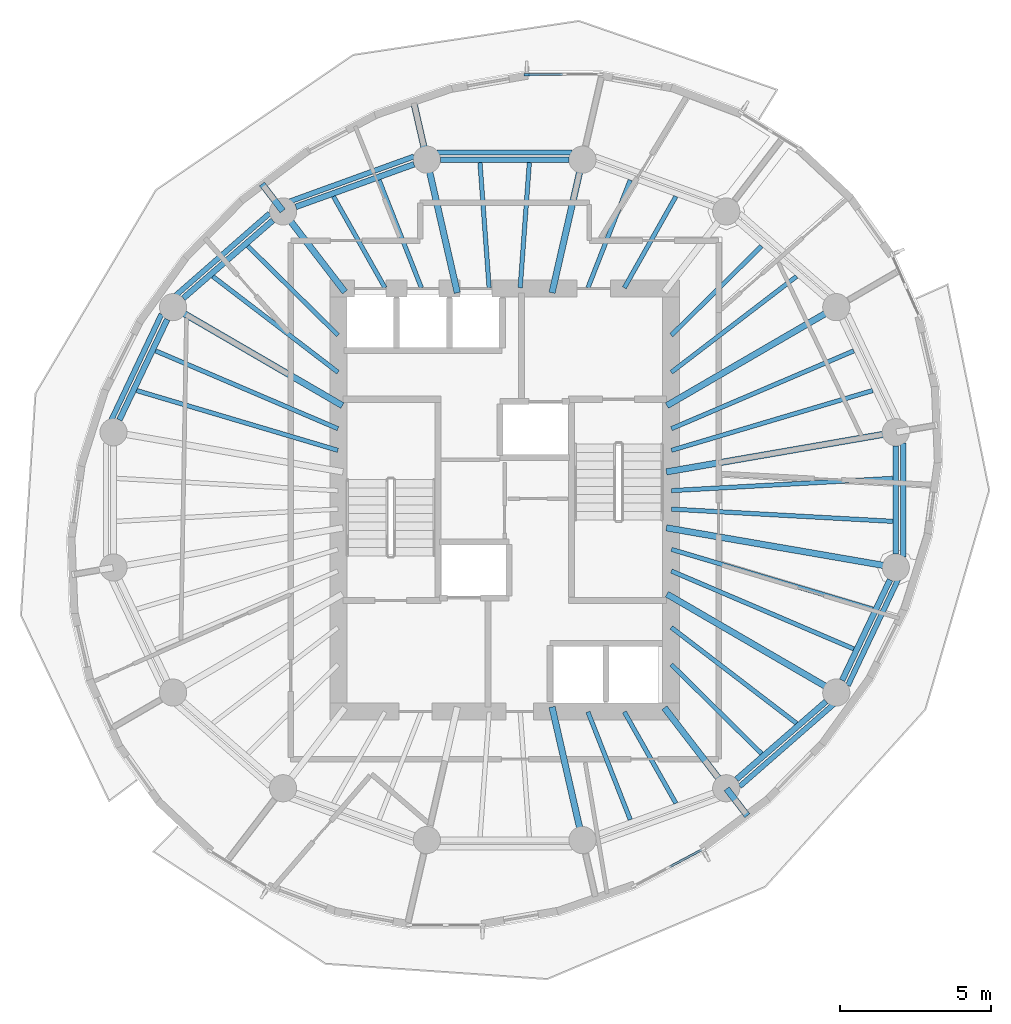
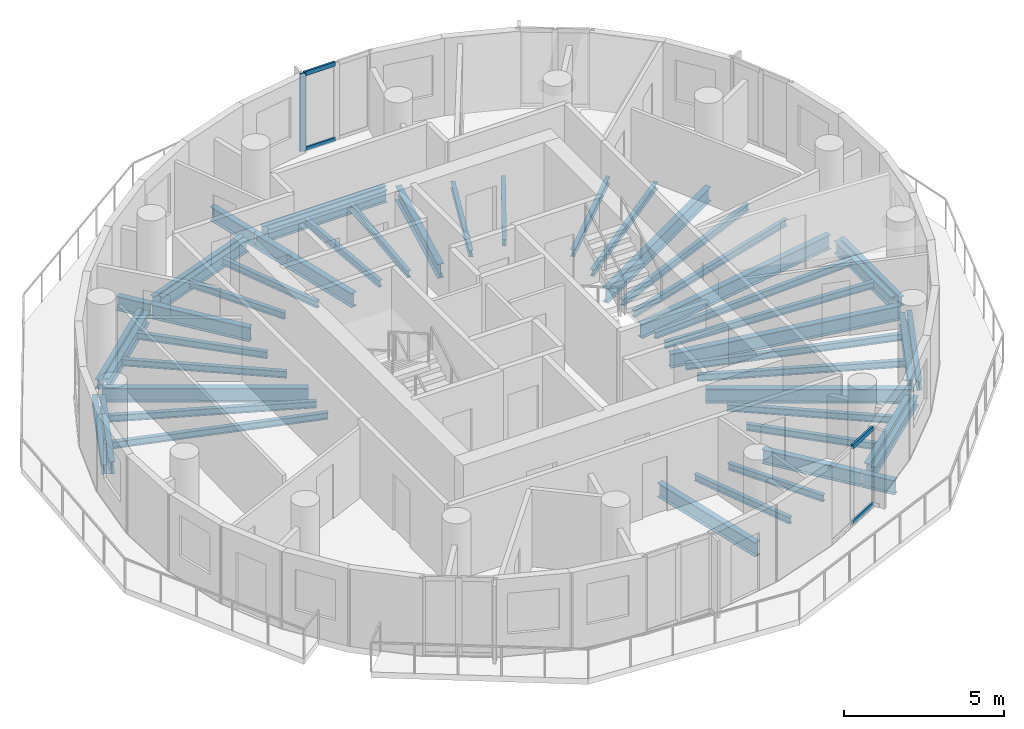
# One storey, part 2 of 10: 49 beams, 5 members, 2 elements without a shape of their own.
"""IFC4 building model written with IfcOpenShell, lengths in metres."""

from ifc_helpers import new_model, si_unit, direction, frame, origin, origin_2d, place, context, subcontext, project, spatial, rectangle, i_section, extrude, material, material_profile, profile_set, type_object, element, aggregate, save


model = new_model("IFC4")

# Units and contexts
model_context = context("Model", 3, precision=1e-05, world=origin(), true_north=direction((0.0, 1.0)))
body_context = subcontext(model_context, "Body", "Model", "MODEL_VIEW")
ifc_project = project(units=[si_unit("LENGTHUNIT", "METRE"), si_unit("AREAUNIT", "SQUARE_METRE"), si_unit("VOLUMEUNIT", "CUBIC_METRE"), si_unit("PLANEANGLEUNIT", "RADIAN"), si_unit("MASSUNIT", "GRAM", prefix="KILO")], contexts=[model_context])

# Site, building, storey
site_placement = place(None, origin())
site = spatial("IfcSite", under=ifc_project, at=site_placement, CompositionType="ELEMENT")
building_placement = place(site_placement, origin())
building = spatial("IfcBuilding", under=site, at=building_placement, Name="Veldorim Arch Residences", CompositionType="ELEMENT")
storey_placement = place(building_placement, frame((0.0, 0.0, 169.43994140625)))
storey = spatial("IfcBuildingStorey", under=building, at=storey_placement, Name="L50", CompositionType="ELEMENT", Elevation=169.43994140625)

# Beams
ifc_material_1 = material(Name="Steel S355", Category="steel")
ifc_material_profile_1 = material_profile(ifc_material_1, i_section(OverallWidth=0.2119140625, OverallDepth=0.54443359375, WebThickness=0.0126953125, FlangeThickness=0.021240234375, at=origin_2d()), Name="UB533x210x122")
ifc_profile_set_1 = profile_set([ifc_material_profile_1], Name="Steel S355")
beam_type_1 = type_object("IfcBeamType", Name="Structural Steel Beam UB533x210x122", PredefinedType="BEAM", material=ifc_profile_set_1)
beam_1_placement = place(storey_placement, frame((37.352294921875, 24.92578125, -0.51220703125), z_axis=(0.985364974081, 0.170457818401, 0.0), x_axis=(-0.170457818401, 0.985364974081, 0.0)))
element("IfcBeam", 1, at=beam_1_placement, inside=storey, type_object=beam_type_1, Name="L50 radial floor girder 01", PredefinedType="BEAM", context=body_context, shape_type="SweptSolid", body=[
    extrude(i_section(OverallWidth=0.2119140625, OverallDepth=0.54443359375, WebThickness=0.0126953125, FlangeThickness=0.021240234375, at=origin_2d()), origin(), (0.0, 0.0, 1.0), 7.68701171875),
])
beam_2_placement = place(storey_placement, frame((37.370361328125, 27.12060546875, -0.51220703125), z_axis=(0.864595736304, 0.502468121142, 0.0), x_axis=(-0.502468121142, 0.864595736304, 0.0)))
element("IfcBeam", 2, at=beam_2_placement, inside=storey, type_object=beam_type_1, Name="L50 radial floor girder 02", PredefinedType="BEAM", context=body_context, shape_type="SweptSolid", body=[
    extrude(i_section(OverallWidth=0.2119140625, OverallDepth=0.54443359375, WebThickness=0.0126953125, FlangeThickness=0.021240234375, at=origin_2d()), origin(), (0.0, 0.0, 1.0), 6.462646484375),
])
for number, where, z_axis, x_axis, name in (
    (3, (33.567626953125, 30.853759765625, -0.51220703125), (0.222952976993, 0.97482920045, 0.0), (-0.97482920045, 0.222952976993, 0.0), "L50 radial floor girder 04"),
    (4, (30.432373046875, 30.853759765625, -0.51220703125), (-0.222952976993, 0.97482920045, 0.0), (-0.97482920045, -0.222952976993, 0.0), "L50 radial floor girder 05"),
):
    element("IfcBeam", number, at=place(storey_placement, frame(where, z_axis=z_axis, x_axis=x_axis)), inside=storey, type_object=beam_type_1, Name=name, PredefinedType="BEAM", context=body_context, shape_type="SweptSolid", body=[
        extrude(i_section(OverallWidth=0.2119140625, OverallDepth=0.54443359375, WebThickness=0.0126953125, FlangeThickness=0.021240234375, at=origin_2d()), origin(), (0.0, 0.0, 1.0), 4.49951171875),
    ])
beam_3_placement = place(storey_placement, frame((29.42041015625, 35.27880859375, -0.51220703125), z_axis=(-0.223002397565, 0.974817896163, 0.0), x_axis=(-0.974817896163, -0.223002397565, 0.0)))
element("IfcBeam", 5, at=beam_3_placement, inside=storey, type_object=beam_type_1, Name="L50 radial edge cantilever girder 05", PredefinedType="BEAM", context=body_context, shape_type="SweptSolid", body=[
    extrude(i_section(OverallWidth=0.2119140625, OverallDepth=0.54443359375, WebThickness=0.0126953125, FlangeThickness=0.021240234375, at=origin_2d()), origin(), (0.0, 0.0, 1.0), 1.978271484375),
])
beam_4_placement = place(storey_placement, frame((26.71337890625, 30.881103515625, -0.51220703125), z_axis=(-0.609258442308, 0.792971721108, 0.0), x_axis=(-0.792971721108, -0.609258442308, 0.0)))
element("IfcBeam", 6, at=beam_4_placement, inside=storey, type_object=beam_type_1, Name="L50 radial floor girder 06", PredefinedType="BEAM", context=body_context, shape_type="SweptSolid", body=[
    extrude(i_section(OverallWidth=0.2119140625, OverallDepth=0.54443359375, WebThickness=0.0126953125, FlangeThickness=0.021240234375, at=origin_2d()), origin(), (0.0, 0.0, 1.0), 3.339599609375),
])
beam_5_placement = place(storey_placement, frame((24.654296875, 33.561279296875, -0.51220703125), z_axis=(-0.609364739023, 0.792890039561, 0.0), x_axis=(-0.792890039561, -0.609364739023, 0.0)))
element("IfcBeam", 7, at=beam_5_placement, inside=storey, type_object=beam_type_1, Name="L50 radial edge cantilever girder 06", PredefinedType="BEAM", context=body_context, shape_type="SweptSolid", body=[
    extrude(i_section(OverallWidth=0.2119140625, OverallDepth=0.54443359375, WebThickness=0.0126953125, FlangeThickness=0.021240234375, at=origin_2d()), origin(), (0.0, 0.0, 1.0), 1.12548828125),
])
beam_6_placement = place(storey_placement, frame((26.629638671875, 27.12060546875, -0.51220703125), z_axis=(-0.864595736304, 0.502468121142, 0.0), x_axis=(-0.502468121142, -0.864595736304, 0.0)))
element("IfcBeam", 8, at=beam_6_placement, inside=storey, type_object=beam_type_1, Name="L50 radial floor girder 07", PredefinedType="BEAM", context=body_context, shape_type="SweptSolid", body=[
    extrude(i_section(OverallWidth=0.2119140625, OverallDepth=0.54443359375, WebThickness=0.0126953125, FlangeThickness=0.021240234375, at=origin_2d()), origin(), (0.0, 0.0, 1.0), 6.462646484375),
])
beam_7_placement = place(storey_placement, frame((33.567626953125, 17.146240234375, -0.51220703125), z_axis=(0.222952976993, -0.97482920045, 0.0), x_axis=(0.97482920045, 0.222952976993, 0.0)))
element("IfcBeam", 9, at=beam_7_placement, inside=storey, type_object=beam_type_1, Name="L50 radial floor girder 13", PredefinedType="BEAM", context=body_context, shape_type="SweptSolid", body=[
    extrude(i_section(OverallWidth=0.2119140625, OverallDepth=0.54443359375, WebThickness=0.0126953125, FlangeThickness=0.021240234375, at=origin_2d()), origin(), (0.0, 0.0, 1.0), 4.49951171875),
])
beam_8_placement = place(storey_placement, frame((37.28662109375, 17.118896484375, -0.51220703125), z_axis=(0.609258442308, -0.792971721108, 0.0), x_axis=(0.792971721108, 0.609258442308, 0.0)))
element("IfcBeam", 10, at=beam_8_placement, inside=storey, type_object=beam_type_1, Name="L50 radial floor girder 14", PredefinedType="BEAM", context=body_context, shape_type="SweptSolid", body=[
    extrude(i_section(OverallWidth=0.2119140625, OverallDepth=0.54443359375, WebThickness=0.0126953125, FlangeThickness=0.021240234375, at=origin_2d()), origin(), (0.0, 0.0, 1.0), 3.339599609375),
])
beam_9_placement = place(storey_placement, frame((39.345703125, 14.438720703125, -0.51220703125), z_axis=(0.609364739023, -0.792890039561, 0.0), x_axis=(0.792890039561, 0.609364739023, 0.0)))
element("IfcBeam", 11, at=beam_9_placement, inside=storey, type_object=beam_type_1, Name="L50 radial edge cantilever girder 14", PredefinedType="BEAM", context=body_context, shape_type="SweptSolid", body=[
    extrude(i_section(OverallWidth=0.2119140625, OverallDepth=0.54443359375, WebThickness=0.0126953125, FlangeThickness=0.021240234375, at=origin_2d()), origin(), (0.0, 0.0, 1.0), 1.12548828125),
])
beam_10_placement = place(storey_placement, frame((37.370361328125, 20.87939453125, -0.51220703125), z_axis=(0.864595736304, -0.502468121142, 0.0), x_axis=(0.502468121142, 0.864595736304, 0.0)))
element("IfcBeam", 12, at=beam_10_placement, inside=storey, type_object=beam_type_1, Name="L50 radial floor girder 15", PredefinedType="BEAM", context=body_context, shape_type="SweptSolid", body=[
    extrude(i_section(OverallWidth=0.2119140625, OverallDepth=0.54443359375, WebThickness=0.0126953125, FlangeThickness=0.021240234375, at=origin_2d()), origin(), (0.0, 0.0, 1.0), 6.462646484375),
])
beam_11_placement = place(storey_placement, frame((37.352294921875, 23.07421875, -0.51220703125), z_axis=(0.985364974081, -0.170457818401, 0.0), x_axis=(0.170457818401, 0.985364974081, 0.0)))
element("IfcBeam", 13, at=beam_11_placement, inside=storey, type_object=beam_type_1, Name="L50 radial floor girder 16", PredefinedType="BEAM", context=body_context, shape_type="SweptSolid", body=[
    extrude(i_section(OverallWidth=0.2119140625, OverallDepth=0.54443359375, WebThickness=0.0126953125, FlangeThickness=0.021240234375, at=origin_2d()), origin(), (0.0, 0.0, 1.0), 7.68701171875),
])
ifc_material_2 = material(Name="Steel S355", Category="steel")
ifc_material_profile_2 = material_profile(ifc_material_2, i_section(OverallWidth=0.146484375, OverallDepth=0.256103515625, WebThickness=0.00634765625, FlangeThickness=0.010986328125, at=origin_2d()), Name="UB254x146x37")
ifc_profile_set_2 = profile_set([ifc_material_profile_2], Name="Steel S355")
beam_type_2 = type_object("IfcBeamType", Name="Structural Steel Joist UB254x146x37", PredefinedType="JOIST", material=ifc_profile_set_2)
beam_12_placement = place(storey_placement, frame((37.519287109375, 25.639404296875, -0.367919921875), z_axis=(0.958594432792, 0.284774846889, 0.0), x_axis=(-0.284774846889, 0.958594432792, 0.0)))
element("IfcBeam", 14, at=beam_12_placement, inside=storey, type_object=beam_type_2, Name="L50 secondary radial floor joist 01-1", PredefinedType="JOIST", context=body_context, shape_type="SweptSolid", body=[
    extrude(i_section(OverallWidth=0.146484375, OverallDepth=0.256103515625, WebThickness=0.00634765625, FlangeThickness=0.010986328125, at=origin_2d()), origin(), (0.0, 0.0, 1.0), 6.949462890625),
])
beam_13_placement = place(storey_placement, frame((37.518310546875, 26.355712890625, -0.367919921875), z_axis=(0.919725161652, 0.392562895629, 0.0), x_axis=(-0.392562895629, 0.919725161652, 0.0)))
element("IfcBeam", 15, at=beam_13_placement, inside=storey, type_object=beam_type_2, Name="L50 secondary radial floor joist 01-2", PredefinedType="JOIST", context=body_context, shape_type="SweptSolid", body=[
    extrude(i_section(OverallWidth=0.146484375, OverallDepth=0.256103515625, WebThickness=0.00634765625, FlangeThickness=0.010986328125, at=origin_2d()), origin(), (0.0, 0.0, 1.0), 6.5625),
])
beam_14_placement = place(storey_placement, frame((37.515869140625, 28.222900390625, -0.367919921875), z_axis=(0.794013672216, 0.607899899929, 0.0), x_axis=(-0.607899899929, 0.794013672216, 0.0)))
element("IfcBeam", 16, at=beam_14_placement, inside=storey, type_object=beam_type_2, Name="L50 secondary radial floor joist 02-1", PredefinedType="JOIST", context=body_context, shape_type="SweptSolid", body=[
    extrude(i_section(OverallWidth=0.146484375, OverallDepth=0.256103515625, WebThickness=0.00634765625, FlangeThickness=0.010986328125, at=origin_2d()), origin(), (0.0, 0.0, 1.0), 5.217041015625),
])
beam_15_placement = place(storey_placement, frame((37.51416015625, 29.44775390625, -0.367919921875), z_axis=(0.711396725432, 0.702790650937, 0.0), x_axis=(-0.702790650937, 0.711396725432, 0.0)))
element("IfcBeam", 17, at=beam_15_placement, inside=storey, type_object=beam_type_2, Name="L50 secondary radial floor joist 02-2", PredefinedType="JOIST", context=body_context, shape_type="SweptSolid", body=[
    extrude(i_section(OverallWidth=0.146484375, OverallDepth=0.256103515625, WebThickness=0.00634765625, FlangeThickness=0.010986328125, at=origin_2d()), origin(), (0.0, 0.0, 1.0), 4.198486328125),
])
beam_16_placement = place(storey_placement, frame((35.960205078125, 31.017333984375, -0.367919921875), z_axis=(0.491452469585, 0.870904397818, 0.0), x_axis=(-0.870904397818, 0.491452469585, 0.0)))
element("IfcBeam", 18, at=beam_16_placement, inside=storey, type_object=beam_type_2, Name="L50 secondary radial floor joist 03-1", PredefinedType="JOIST", context=body_context, shape_type="SweptSolid", body=[
    extrude(i_section(OverallWidth=0.146484375, OverallDepth=0.256103515625, WebThickness=0.00634765625, FlangeThickness=0.010986328125, at=origin_2d()), origin(), (0.0, 0.0, 1.0), 3.472412109375),
])
beam_17_placement = place(storey_placement, frame((34.75634765625, 31.0185546875, -0.367919921875), z_axis=(0.365581383042, 0.930779379001, 0.0), x_axis=(-0.930779379001, 0.365581383042, 0.0)))
element("IfcBeam", 19, at=beam_17_placement, inside=storey, type_object=beam_type_2, Name="L50 secondary radial floor joist 03-2", PredefinedType="JOIST", context=body_context, shape_type="SweptSolid", body=[
    extrude(i_section(OverallWidth=0.146484375, OverallDepth=0.256103515625, WebThickness=0.00634765625, FlangeThickness=0.010986328125, at=origin_2d()), origin(), (0.0, 0.0, 1.0), 3.83056640625),
])
for number, where, z_axis, x_axis, name in (
    (20, (32.513916015625, 31.02001953125, -0.367919921875), (0.072985625899, 0.997332992742, 0.0), (-0.997332992742, 0.072985625899, 0.0), "L50 secondary radial floor joist 04-1"),
    (21, (31.486083984375, 31.02001953125, -0.367919921875), (-0.072985625899, 0.997332992742, 0.0), (-0.997332992742, -0.072985625899, 0.0), "L50 secondary radial floor joist 04-2"),
):
    element("IfcBeam", number, at=place(storey_placement, frame(where, z_axis=z_axis, x_axis=x_axis)), inside=storey, type_object=beam_type_2, Name=name, PredefinedType="JOIST", context=body_context, shape_type="SweptSolid", body=[
        extrude(i_section(OverallWidth=0.146484375, OverallDepth=0.256103515625, WebThickness=0.00634765625, FlangeThickness=0.010986328125, at=origin_2d()), origin(), (0.0, 0.0, 1.0), 4.151123046875),
    ])
beam_18_placement = place(storey_placement, frame((29.24365234375, 31.0185546875, -0.367919921875), z_axis=(-0.365581383042, 0.930779379001, 0.0), x_axis=(-0.930779379001, -0.365581383042, 0.0)))
element("IfcBeam", 22, at=beam_18_placement, inside=storey, type_object=beam_type_2, Name="L50 secondary radial floor joist 05-1", PredefinedType="JOIST", context=body_context, shape_type="SweptSolid", body=[
    extrude(i_section(OverallWidth=0.146484375, OverallDepth=0.256103515625, WebThickness=0.00634765625, FlangeThickness=0.010986328125, at=origin_2d()), origin(), (0.0, 0.0, 1.0), 3.83056640625),
])
beam_19_placement = place(storey_placement, frame((28.039794921875, 31.017333984375, -0.367919921875), z_axis=(-0.491452469585, 0.870904397818, 0.0), x_axis=(-0.870904397818, -0.491452469585, 0.0)))
element("IfcBeam", 23, at=beam_19_placement, inside=storey, type_object=beam_type_2, Name="L50 secondary radial floor joist 05-2", PredefinedType="JOIST", context=body_context, shape_type="SweptSolid", body=[
    extrude(i_section(OverallWidth=0.146484375, OverallDepth=0.256103515625, WebThickness=0.00634765625, FlangeThickness=0.010986328125, at=origin_2d()), origin(), (0.0, 0.0, 1.0), 3.472412109375),
])
beam_20_placement = place(storey_placement, frame((26.48583984375, 29.44775390625, -0.367919921875), z_axis=(-0.711396725432, 0.702790650937, 0.0), x_axis=(-0.702790650937, -0.711396725432, 0.0)))
element("IfcBeam", 24, at=beam_20_placement, inside=storey, type_object=beam_type_2, Name="L50 secondary radial floor joist 06-1", PredefinedType="JOIST", context=body_context, shape_type="SweptSolid", body=[
    extrude(i_section(OverallWidth=0.146484375, OverallDepth=0.256103515625, WebThickness=0.00634765625, FlangeThickness=0.010986328125, at=origin_2d()), origin(), (0.0, 0.0, 1.0), 4.198486328125),
])
beam_21_placement = place(storey_placement, frame((26.484130859375, 28.222900390625, -0.367919921875), z_axis=(-0.794013672216, 0.607899899929, 0.0), x_axis=(-0.607899899929, -0.794013672216, 0.0)))
element("IfcBeam", 25, at=beam_21_placement, inside=storey, type_object=beam_type_2, Name="L50 secondary radial floor joist 06-2", PredefinedType="JOIST", context=body_context, shape_type="SweptSolid", body=[
    extrude(i_section(OverallWidth=0.146484375, OverallDepth=0.256103515625, WebThickness=0.00634765625, FlangeThickness=0.010986328125, at=origin_2d()), origin(), (0.0, 0.0, 1.0), 5.217041015625),
])
beam_22_placement = place(storey_placement, frame((26.481689453125, 26.355712890625, -0.367919921875), z_axis=(-0.919725161652, 0.392562895629, 0.0), x_axis=(-0.392562895629, -0.919725161652, 0.0)))
element("IfcBeam", 26, at=beam_22_placement, inside=storey, type_object=beam_type_2, Name="L50 secondary radial floor joist 07-1", PredefinedType="JOIST", context=body_context, shape_type="SweptSolid", body=[
    extrude(i_section(OverallWidth=0.146484375, OverallDepth=0.256103515625, WebThickness=0.00634765625, FlangeThickness=0.010986328125, at=origin_2d()), origin(), (0.0, 0.0, 1.0), 6.5625),
])
beam_23_placement = place(storey_placement, frame((26.480712890625, 25.639404296875, -0.367919921875), z_axis=(-0.958594432792, 0.284774846889, 0.0), x_axis=(-0.284774846889, -0.958594432792, 0.0)))
element("IfcBeam", 27, at=beam_23_placement, inside=storey, type_object=beam_type_2, Name="L50 secondary radial floor joist 07-2", PredefinedType="JOIST", context=body_context, shape_type="SweptSolid", body=[
    extrude(i_section(OverallWidth=0.146484375, OverallDepth=0.256103515625, WebThickness=0.00634765625, FlangeThickness=0.010986328125, at=origin_2d()), origin(), (0.0, 0.0, 1.0), 6.949462890625),
])
beam_24_placement = place(storey_placement, frame((34.75634765625, 16.9814453125, -0.367919921875), z_axis=(0.365581383042, -0.930779379001, 0.0), x_axis=(0.930779379001, 0.365581383042, 0.0)))
element("IfcBeam", 28, at=beam_24_placement, inside=storey, type_object=beam_type_2, Name="L50 secondary radial floor joist 13-1", PredefinedType="JOIST", context=body_context, shape_type="SweptSolid", body=[
    extrude(i_section(OverallWidth=0.146484375, OverallDepth=0.256103515625, WebThickness=0.00634765625, FlangeThickness=0.010986328125, at=origin_2d()), origin(), (0.0, 0.0, 1.0), 3.83056640625),
])
beam_25_placement = place(storey_placement, frame((35.960205078125, 16.982666015625, -0.367919921875), z_axis=(0.491452469585, -0.870904397818, 0.0), x_axis=(0.870904397818, 0.491452469585, 0.0)))
element("IfcBeam", 29, at=beam_25_placement, inside=storey, type_object=beam_type_2, Name="L50 secondary radial floor joist 13-2", PredefinedType="JOIST", context=body_context, shape_type="SweptSolid", body=[
    extrude(i_section(OverallWidth=0.146484375, OverallDepth=0.256103515625, WebThickness=0.00634765625, FlangeThickness=0.010986328125, at=origin_2d()), origin(), (0.0, 0.0, 1.0), 3.472412109375),
])
beam_26_placement = place(storey_placement, frame((37.51416015625, 18.55224609375, -0.367919921875), z_axis=(0.711396725432, -0.702790650937, 0.0), x_axis=(0.702790650937, 0.711396725432, 0.0)))
element("IfcBeam", 30, at=beam_26_placement, inside=storey, type_object=beam_type_2, Name="L50 secondary radial floor joist 14-1", PredefinedType="JOIST", context=body_context, shape_type="SweptSolid", body=[
    extrude(i_section(OverallWidth=0.146484375, OverallDepth=0.256103515625, WebThickness=0.00634765625, FlangeThickness=0.010986328125, at=origin_2d()), origin(), (0.0, 0.0, 1.0), 4.198486328125),
])
beam_27_placement = place(storey_placement, frame((37.515869140625, 19.777099609375, -0.367919921875), z_axis=(0.794013672216, -0.607899899929, 0.0), x_axis=(0.607899899929, 0.794013672216, 0.0)))
element("IfcBeam", 31, at=beam_27_placement, inside=storey, type_object=beam_type_2, Name="L50 secondary radial floor joist 14-2", PredefinedType="JOIST", context=body_context, shape_type="SweptSolid", body=[
    extrude(i_section(OverallWidth=0.146484375, OverallDepth=0.256103515625, WebThickness=0.00634765625, FlangeThickness=0.010986328125, at=origin_2d()), origin(), (0.0, 0.0, 1.0), 5.217041015625),
])
beam_28_placement = place(storey_placement, frame((37.518310546875, 21.644287109375, -0.367919921875), z_axis=(0.919725161652, -0.392562895629, 0.0), x_axis=(0.392562895629, 0.919725161652, 0.0)))
element("IfcBeam", 32, at=beam_28_placement, inside=storey, type_object=beam_type_2, Name="L50 secondary radial floor joist 15-1", PredefinedType="JOIST", context=body_context, shape_type="SweptSolid", body=[
    extrude(i_section(OverallWidth=0.146484375, OverallDepth=0.256103515625, WebThickness=0.00634765625, FlangeThickness=0.010986328125, at=origin_2d()), origin(), (0.0, 0.0, 1.0), 6.5625),
])
beam_29_placement = place(storey_placement, frame((37.519287109375, 22.360595703125, -0.367919921875), z_axis=(0.958594432792, -0.284774846889, 0.0), x_axis=(0.284774846889, 0.958594432792, 0.0)))
element("IfcBeam", 33, at=beam_29_placement, inside=storey, type_object=beam_type_2, Name="L50 secondary radial floor joist 15-2", PredefinedType="JOIST", context=body_context, shape_type="SweptSolid", body=[
    extrude(i_section(OverallWidth=0.146484375, OverallDepth=0.256103515625, WebThickness=0.00634765625, FlangeThickness=0.010986328125, at=origin_2d()), origin(), (0.0, 0.0, 1.0), 6.949462890625),
])
for number, where, z_axis, x_axis, name in (
    (34, (37.52001953125, 23.6943359375, -0.367919921875), (0.998472000884, -0.055259962464, 0.0), (0.055259962464, 0.998472000884, 0.0), "L50 secondary radial floor joist 16-1"),
    (35, (37.52001953125, 24.3056640625, -0.367919921875), (0.998472000884, 0.055259962464, 0.0), (-0.055259962464, 0.998472000884, 0.0), "L50 secondary radial floor joist 16-2"),
):
    element("IfcBeam", number, at=place(storey_placement, frame(where, z_axis=z_axis, x_axis=x_axis)), inside=storey, type_object=beam_type_2, Name=name, PredefinedType="JOIST", context=body_context, shape_type="SweptSolid", body=[
        extrude(i_section(OverallWidth=0.146484375, OverallDepth=0.256103515625, WebThickness=0.00634765625, FlangeThickness=0.010986328125, at=origin_2d()), origin(), (0.0, 0.0, 1.0), 7.33837890625),
    ])
ifc_material_3 = material(Name="Steel S355", Category="steel")
ifc_material_profile_3 = material_profile(ifc_material_3, i_section(OverallWidth=0.172119140625, OverallDepth=0.35791015625, WebThickness=0.008056640625, FlangeThickness=0.012939453125, at=origin_2d()), Name="UB356x171x57")
ifc_profile_set_3 = profile_set([ifc_material_profile_3], Name="Steel S355")
beam_type_3 = type_object("IfcBeamType", Name="Structural Steel Spandrel UB356x171x57", PredefinedType="SPANDREL", material=ifc_profile_set_3)
beam_30_placement = place(storey_placement, frame((34.234375, 35.500732421875, -0.43896484375), z_axis=(-1.0, 0.0, 0.0), x_axis=(0.0, -1.0, 0.0)))
element("IfcBeam", 36, at=beam_30_placement, inside=storey, type_object=beam_type_3, Name="L50 perimeter chord spandrel beam 04", PredefinedType="SPANDREL", context=body_context, shape_type="SweptSolid", body=[
    extrude(i_section(OverallWidth=0.172119140625, OverallDepth=0.35791015625, WebThickness=0.008056640625, FlangeThickness=0.012939453125, at=origin_2d()), origin(), (0.0, 0.0, 1.0), 4.46875),
])
beam_31_placement = place(storey_placement, frame((28.997314453125, 35.36572265625, -0.43896484375), z_axis=(-0.940164695555, -0.340720332871, 0.0), x_axis=(0.340720332871, -0.940164695555, 0.0)))
element("IfcBeam", 37, at=beam_31_placement, inside=storey, type_object=beam_type_3, Name="L50 perimeter chord spandrel beam 05", PredefinedType="SPANDREL", context=body_context, shape_type="SweptSolid", body=[
    extrude(i_section(OverallWidth=0.172119140625, OverallDepth=0.35791015625, WebThickness=0.008056640625, FlangeThickness=0.012939453125, at=origin_2d()), origin(), (0.0, 0.0, 1.0), 4.370849609375),
])
beam_32_placement = place(storey_placement, frame((24.217529296875, 33.48095703125, -0.43896484375), z_axis=(-0.752847646119, -0.6581948205, 0.0), x_axis=(0.6581948205, -0.752847646119, 0.0)))
element("IfcBeam", 38, at=beam_32_placement, inside=storey, type_object=beam_type_3, Name="L50 perimeter chord spandrel beam 06", PredefinedType="SPANDREL", context=body_context, shape_type="SweptSolid", body=[
    extrude(i_section(OverallWidth=0.172119140625, OverallDepth=0.35791015625, WebThickness=0.008056640625, FlangeThickness=0.012939453125, at=origin_2d()), origin(), (0.0, 0.0, 1.0), 4.12939453125),
])
beam_33_placement = place(storey_placement, frame((20.64111328125, 30.144287109375, -0.43896484375), z_axis=(-0.428408308939, -0.903585259304, 0.0), x_axis=(0.903585259304, -0.428408308939, 0.0)))
element("IfcBeam", 39, at=beam_33_placement, inside=storey, type_object=beam_type_3, Name="L50 perimeter chord spandrel beam 07", PredefinedType="SPANDREL", context=body_context, shape_type="SweptSolid", body=[
    extrude(i_section(OverallWidth=0.172119140625, OverallDepth=0.35791015625, WebThickness=0.008056640625, FlangeThickness=0.012939453125, at=origin_2d()), origin(), (0.0, 0.0, 1.0), 3.878662109375),
])
beam_34_placement = place(storey_placement, frame((39.782470703125, 14.51904296875, -0.43896484375), z_axis=(0.752847646119, 0.6581948205, 0.0), x_axis=(-0.6581948205, 0.752847646119, 0.0)))
element("IfcBeam", 40, at=beam_34_placement, inside=storey, type_object=beam_type_3, Name="L50 perimeter chord spandrel beam 14", PredefinedType="SPANDREL", context=body_context, shape_type="SweptSolid", body=[
    extrude(i_section(OverallWidth=0.172119140625, OverallDepth=0.35791015625, WebThickness=0.008056640625, FlangeThickness=0.012939453125, at=origin_2d()), origin(), (0.0, 0.0, 1.0), 4.12939453125),
])
beam_35_placement = place(storey_placement, frame((43.35888671875, 17.855712890625, -0.43896484375), z_axis=(0.428408308939, 0.903585259304, 0.0), x_axis=(-0.903585259304, 0.428408308939, 0.0)))
element("IfcBeam", 41, at=beam_35_placement, inside=storey, type_object=beam_type_3, Name="L50 perimeter chord spandrel beam 15", PredefinedType="SPANDREL", context=body_context, shape_type="SweptSolid", body=[
    extrude(i_section(OverallWidth=0.172119140625, OverallDepth=0.35791015625, WebThickness=0.008056640625, FlangeThickness=0.012939453125, at=origin_2d()), origin(), (0.0, 0.0, 1.0), 3.878662109375),
])
beam_36_placement = place(storey_placement, frame((45.190185546875, 22.1142578125, -0.43896484375), z_axis=(0.0, 1.0, 0.0), x_axis=(-1.0, 0.0, 0.0)))
element("IfcBeam", 42, at=beam_36_placement, inside=storey, type_object=beam_type_3, Name="L50 perimeter chord spandrel beam 16", PredefinedType="SPANDREL", context=body_context, shape_type="SweptSolid", body=[
    extrude(i_section(OverallWidth=0.172119140625, OverallDepth=0.35791015625, WebThickness=0.008056640625, FlangeThickness=0.012939453125, at=origin_2d()), origin(), (0.0, 0.0, 1.0), 3.771484375),
])
ifc_material_4 = material(Name="Steel S355", Category="steel")
ifc_material_profile_4 = material_profile(ifc_material_4, i_section(OverallWidth=0.19140625, OverallDepth=0.4599609375, WebThickness=0.010009765625, FlangeThickness=0.01611328125, at=origin_2d()), Name="UB457x191x82")
ifc_profile_set_4 = profile_set([ifc_material_profile_4], Name="Steel S355")
beam_type_4 = type_object("IfcBeamType", Name="Structural Steel Spandrel UB457x191x82", PredefinedType="SPANDREL", material=ifc_profile_set_4)
beam_37_placement = place(storey_placement, frame((34.125244140625, 35.259521484375, -0.469970703125), z_axis=(-1.0, 0.0, 0.0), x_axis=(0.0, -1.0, 0.0)))
element("IfcBeam", 43, at=beam_37_placement, inside=storey, type_object=beam_type_4, Name="L50 perimeter ring tie beam 04", PredefinedType="SPANDREL", context=body_context, shape_type="SweptSolid", body=[
    extrude(i_section(OverallWidth=0.19140625, OverallDepth=0.4599609375, WebThickness=0.010009765625, FlangeThickness=0.01611328125, at=origin_2d()), origin(), (0.0, 0.0, 1.0), 4.25048828125),
])
beam_38_placement = place(storey_placement, frame((29.00146484375, 35.10693359375, -0.469970703125), z_axis=(-0.940811035395, -0.338931550137, 0.0), x_axis=(0.338931550137, -0.940811035395, 0.0)))
element("IfcBeam", 44, at=beam_38_placement, inside=storey, type_object=beam_type_4, Name="L50 perimeter ring tie beam 05", PredefinedType="SPANDREL", context=body_context, shape_type="SweptSolid", body=[
    extrude(i_section(OverallWidth=0.19140625, OverallDepth=0.4599609375, WebThickness=0.010009765625, FlangeThickness=0.01611328125, at=origin_2d()), origin(), (0.0, 0.0, 1.0), 4.15771484375),
])
beam_39_placement = place(storey_placement, frame((24.326904296875, 33.25, -0.469970703125), z_axis=(-0.754545285701, -0.656247980436, 0.0), x_axis=(0.656247980436, -0.754545285701, 0.0)))
element("IfcBeam", 45, at=beam_39_placement, inside=storey, type_object=beam_type_4, Name="L50 perimeter ring tie beam 06", PredefinedType="SPANDREL", context=body_context, shape_type="SweptSolid", body=[
    extrude(i_section(OverallWidth=0.19140625, OverallDepth=0.4599609375, WebThickness=0.010009765625, FlangeThickness=0.01611328125, at=origin_2d()), origin(), (0.0, 0.0, 1.0), 3.9267578125),
])
beam_40_placement = place(storey_placement, frame((20.8310546875, 29.9716796875, -0.469970703125), z_axis=(-0.430005613988, -0.902826213586, 0.0), x_axis=(0.902826213586, -0.430005613988, 0.0)))
element("IfcBeam", 46, at=beam_40_placement, inside=storey, type_object=beam_type_4, Name="L50 perimeter ring tie beam 07", PredefinedType="SPANDREL", context=body_context, shape_type="SweptSolid", body=[
    extrude(i_section(OverallWidth=0.19140625, OverallDepth=0.4599609375, WebThickness=0.010009765625, FlangeThickness=0.01611328125, at=origin_2d()), origin(), (0.0, 0.0, 1.0), 3.68359375),
])
beam_41_placement = place(storey_placement, frame((39.673095703125, 14.75, -0.469970703125), z_axis=(0.754545285701, 0.656247980436, 0.0), x_axis=(-0.656247980436, 0.754545285701, 0.0)))
element("IfcBeam", 47, at=beam_41_placement, inside=storey, type_object=beam_type_4, Name="L50 perimeter ring tie beam 14", PredefinedType="SPANDREL", context=body_context, shape_type="SweptSolid", body=[
    extrude(i_section(OverallWidth=0.19140625, OverallDepth=0.4599609375, WebThickness=0.010009765625, FlangeThickness=0.01611328125, at=origin_2d()), origin(), (0.0, 0.0, 1.0), 3.9267578125),
])
beam_42_placement = place(storey_placement, frame((43.1689453125, 18.0283203125, -0.469970703125), z_axis=(0.430005613988, 0.902826213586, 0.0), x_axis=(-0.902826213586, 0.430005613988, 0.0)))
element("IfcBeam", 48, at=beam_42_placement, inside=storey, type_object=beam_type_4, Name="L50 perimeter ring tie beam 15", PredefinedType="SPANDREL", context=body_context, shape_type="SweptSolid", body=[
    extrude(i_section(OverallWidth=0.19140625, OverallDepth=0.4599609375, WebThickness=0.010009765625, FlangeThickness=0.01611328125, at=origin_2d()), origin(), (0.0, 0.0, 1.0), 3.68359375),
])
beam_43_placement = place(storey_placement, frame((44.9462890625, 22.21044921875, -0.469970703125), z_axis=(0.0, 1.0, 0.0), x_axis=(-1.0, 0.0, 0.0)))
element("IfcBeam", 49, at=beam_43_placement, inside=storey, type_object=beam_type_4, Name="L50 perimeter ring tie beam 16", PredefinedType="SPANDREL", context=body_context, shape_type="SweptSolid", body=[
    extrude(i_section(OverallWidth=0.19140625, OverallDepth=0.4599609375, WebThickness=0.010009765625, FlangeThickness=0.01611328125, at=origin_2d()), origin(), (0.0, 0.0, 1.0), 3.5791015625),
])

# Curtain wall, members
ifc_material_5 = material(Name="Aluminium", Category="aluminium")
curtain_wall_type = type_object("IfcCurtainWallType", Name="Zone 4 High-Altitude Unitised Curtain Wall", PredefinedType="NOTDEFINED", material=ifc_material_5)
curtain_wall_1_placement = place(storey_placement, origin())
curtain_wall_1 = element("IfcCurtainWall", 50, at=curtain_wall_1_placement, inside=storey, type_object=curtain_wall_type, Name="L50 unitised curtain wall bay 05", PredefinedType="NOTDEFINED")
ifc_material_6 = material(Name="Aluminium", Category="aluminium")
ifc_material_profile_5 = material_profile(ifc_material_6, rectangle(XDim=0.074951171875, YDim=0.195068359375, at=origin_2d()), Name="ALU_MUL_75x195")
ifc_profile_set_5 = profile_set([ifc_material_profile_5], Name="Aluminium")
member_type_1 = type_object("IfcMemberType", Name="Zone 4 High-Altitude Unitised Curtain Wall Mullion 75x195", PredefinedType="MULLION", material=ifc_profile_set_5)
member_1_placement = place(storey_placement, frame((32.73583984375, 38.073486328125, 0.0), z_axis=(0.0, 0.0, 1.0), x_axis=(-0.002677634077, 0.999996415131, 0.0)))
member_1 = element("IfcMember", 51, at=member_1_placement, type_object=member_type_1, Name="CW-Z4 mullion 1", PredefinedType="MULLION", context=body_context, shape_type="SweptSolid", body=[
    extrude(rectangle(XDim=0.074951171875, YDim=0.195068359375, at=origin_2d()), origin(), (0.0, 0.0, 1.0), 2.9599609375),
])
ifc_material_7 = material(Name="Aluminium", Category="aluminium")
ifc_material_profile_6 = material_profile(ifc_material_7, rectangle(XDim=0.074951171875, YDim=0.1650390625, at=origin_2d()), Name="ALU_TRN_75x165")
ifc_profile_set_6 = profile_set([ifc_material_profile_6], Name="Aluminium")
member_type_2 = type_object("IfcMemberType", Name="Zone 4 High-Altitude Unitised Curtain Wall Transom 75x165", PredefinedType="USERDEFINED", material=ifc_profile_set_6)
member_2_placement = place(storey_placement, frame((32.7734375, 38.073486328125, 0.03759765625), z_axis=(0.999996115482, 0.002787296205, 0.0), x_axis=(-0.002787296205, 0.999996115482, 0.0)))
member_2 = element("IfcMember", 52, at=member_2_placement, type_object=member_type_2, Name="CW-Z4 transom 1.1", ObjectType="TRANSOM", PredefinedType="USERDEFINED", context=body_context, shape_type="SweptSolid", body=[
    extrude(rectangle(XDim=0.074951171875, YDim=0.1650390625, at=origin_2d()), origin(), (0.0, 0.0, 1.0), 1.138671875),
])
member_3_placement = place(storey_placement, frame((32.7734375, 38.073486328125, 2.922607421875), z_axis=(0.999996115482, 0.002787296205, 0.0), x_axis=(-0.002787296205, 0.999996115482, 0.0)))
member_3 = element("IfcMember", 53, at=member_3_placement, type_object=member_type_2, Name="CW-Z4 transom 1.2", ObjectType="TRANSOM", PredefinedType="USERDEFINED", context=body_context, shape_type="SweptSolid", body=[
    extrude(rectangle(XDim=0.074951171875, YDim=0.1650390625, at=origin_2d()), origin(), (0.0, 0.0, 1.0), 1.138671875),
])
aggregate(curtain_wall_1, [member_1, member_2, member_3])

curtain_wall_2_placement = place(storey_placement, origin())
curtain_wall_2 = element("IfcCurtainWall", 54, at=curtain_wall_2_placement, inside=storey, type_object=curtain_wall_type, Name="L50 unitised curtain wall bay 26", PredefinedType="NOTDEFINED")
member_4_placement = place(storey_placement, frame((38.522216796875, 12.417236328125, 0.03759765625), z_axis=(-0.882648352175, -0.47003392048, 0.0), x_axis=(0.47003392048, -0.882648352175, 0.0)))
member_4 = element("IfcMember", 55, at=member_4_placement, type_object=member_type_2, Name="CW-Z4 transom 1.1", ObjectType="TRANSOM", PredefinedType="USERDEFINED", context=body_context, shape_type="SweptSolid", body=[
    extrude(rectangle(XDim=0.074951171875, YDim=0.1650390625, at=origin_2d()), origin(), (0.0, 0.0, 1.0), 1.211669921875),
])
member_5_placement = place(storey_placement, frame((38.522216796875, 12.417236328125, 2.922607421875), z_axis=(-0.882648352175, -0.47003392048, 0.0), x_axis=(0.47003392048, -0.882648352175, 0.0)))
member_5 = element("IfcMember", 56, at=member_5_placement, type_object=member_type_2, Name="CW-Z4 transom 1.2", ObjectType="TRANSOM", PredefinedType="USERDEFINED", context=body_context, shape_type="SweptSolid", body=[
    extrude(rectangle(XDim=0.074951171875, YDim=0.1650390625, at=origin_2d()), origin(), (0.0, 0.0, 1.0), 1.211669921875),
])
aggregate(curtain_wall_2, [member_4, member_5])

save(model, "model.ifc")
